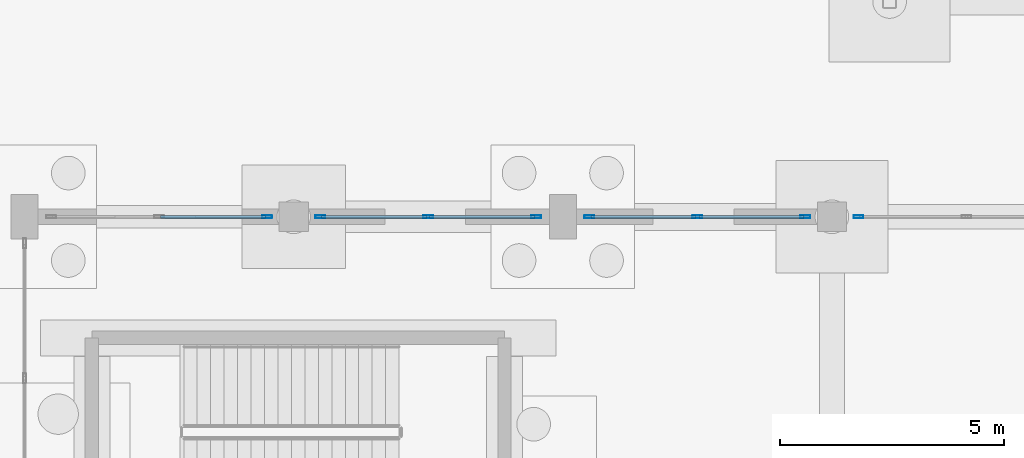
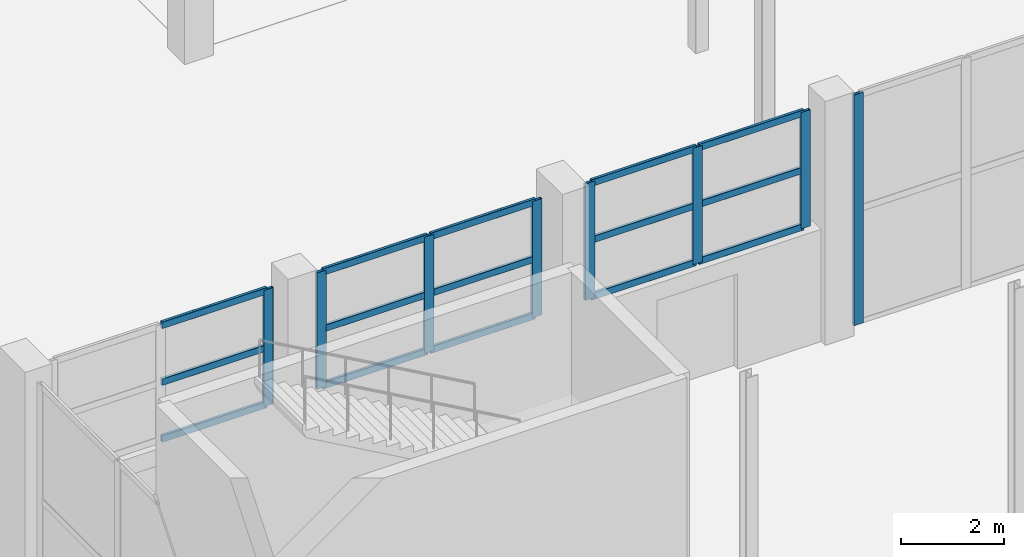
# One storey, part 59 of 103: 23 members, 4 elements without a shape of their own.
"""IFC4 building model written with IfcOpenShell, lengths in metres."""

from ifc_helpers import new_model, si_unit, direction, frame, origin, origin_2d, place, context, subcontext, project, spatial, hollow_rectangle, extrude, material, layer, layer_set, material_profile, profile_set, type_object, element, aggregate, save


model = new_model("IFC4")

# Units and contexts
model_context = context("Model", 3, precision=1e-05, world=origin(), true_north=direction((0.0, 1.0)))
body_context = subcontext(model_context, "Body", "Model", "MODEL_VIEW")
ifc_project = project(units=[si_unit("LENGTHUNIT", "METRE"), si_unit("AREAUNIT", "SQUARE_METRE"), si_unit("VOLUMEUNIT", "CUBIC_METRE"), si_unit("PLANEANGLEUNIT", "RADIAN"), si_unit("MASSUNIT", "GRAM", prefix="KILO")], contexts=[model_context])

# Site, building, storey
site_placement = place(None, origin())
site = spatial("IfcSite", under=ifc_project, at=site_placement, CompositionType="ELEMENT")
building_placement = place(site_placement, origin())
building = spatial("IfcBuilding", under=site, at=building_placement, Name="Dunvalen Ferry Terminal", CompositionType="ELEMENT")
storey_placement = place(building_placement, origin())
storey = spatial("IfcBuildingStorey", under=building, at=storey_placement, Name="L00", CompositionType="ELEMENT", Elevation=0.0)

# Curtain wall, member
ifc_material_1 = material(Name="Anodised marine aluminium and solar-control glazing", Category="aluminium")
ifc_layer = layer(ifc_material_1, 0.219970703125, Name="Anodised marine aluminium and solar-control glazing")
ifc_layer_set = layer_set([ifc_layer], Name="Anodised marine aluminium and solar-control glazing")
curtain_wall_type = type_object("IfcCurtainWallType", Name="ENV-CW-SYS-01", PredefinedType="NOTDEFINED", material=ifc_layer_set)
curtain_wall_1_placement = place(storey_placement, origin())
curtain_wall_1 = element("IfcCurtainWall", 1, at=curtain_wall_1_placement, inside=storey, type_object=curtain_wall_type, Name="L00 Curtain Wall CW-V2N-L00-01", PredefinedType="NOTDEFINED")
ifc_material_2 = material(Name="Anodised marine aluminium EN AW-6063 T6", Category="aluminium")
ifc_material_profile_1 = material_profile(ifc_material_2, hollow_rectangle(XDim=0.06494140625, YDim=0.219970703125, WallThickness=0.00390625, InnerFilletRadius=0.00390625, OuterFilletRadius=0.008056640625, at=origin_2d()), Name="Anodised marine aluminium EN AW-6063 T6")
ifc_profile_set_1 = profile_set([ifc_material_profile_1], Name="Anodised marine aluminium EN AW-6063 T6")
member_type_1 = type_object("IfcMemberType", Name="ENV-CW-MUL-1", PredefinedType="MULLION", material=ifc_profile_set_1)
member_1_placement = place(storey_placement, frame((113.407470703125, 86.39990234375, 2.699951171875), z_axis=(0.0, 0.0, 1.0), x_axis=(0.0, 1.0, 0.0)))
member_1 = element("IfcMember", 2, at=member_1_placement, type_object=member_type_1, Name="CW-01 mullion 3", PredefinedType="MULLION", context=body_context, shape_type="SweptSolid", body=[
    extrude(hollow_rectangle(XDim=0.06494140625, YDim=0.219970703125, WallThickness=0.00390625, InnerFilletRadius=0.00390625, OuterFilletRadius=0.008056640625, at=origin_2d()), origin(), (0.0, 0.0, 1.0), 2.75),
])

# Curtain wall, members
curtain_wall_2_placement = place(storey_placement, origin())
curtain_wall_2 = element("IfcCurtainWall", 3, at=curtain_wall_2_placement, inside=storey, type_object=curtain_wall_type, Name="L00 Curtain Wall CW-V2N-L00-02", PredefinedType="NOTDEFINED")
member_2_placement = place(storey_placement, frame((114.592529296875, 86.39990234375, 2.699951171875), z_axis=(0.0, 0.0, 1.0), x_axis=(0.0, 1.0, 0.0)))
member_2 = element("IfcMember", 4, at=member_2_placement, type_object=member_type_1, Name="CW-01 mullion 1", PredefinedType="MULLION", context=body_context, shape_type="SweptSolid", body=[
    extrude(hollow_rectangle(XDim=0.06494140625, YDim=0.219970703125, WallThickness=0.00390625, InnerFilletRadius=0.00390625, OuterFilletRadius=0.008056640625, at=origin_2d()), origin(), (0.0, 0.0, 1.0), 2.75),
])
member_3_placement = place(storey_placement, frame((117.0, 86.39990234375, 2.699951171875), z_axis=(0.0, 0.0, 1.0), x_axis=(0.0, 1.0, 0.0)))
member_3 = element("IfcMember", 5, at=member_3_placement, type_object=member_type_1, Name="CW-01 mullion 2", PredefinedType="MULLION", context=body_context, shape_type="SweptSolid", body=[
    extrude(hollow_rectangle(XDim=0.06494140625, YDim=0.219970703125, WallThickness=0.00390625, InnerFilletRadius=0.00390625, OuterFilletRadius=0.008056640625, at=origin_2d()), origin(), (0.0, 0.0, 1.0), 2.75),
])
member_4_placement = place(storey_placement, frame((119.407470703125, 86.39990234375, 2.699951171875), z_axis=(0.0, 0.0, 1.0), x_axis=(0.0, 1.0, 0.0)))
member_4 = element("IfcMember", 6, at=member_4_placement, type_object=member_type_1, Name="CW-01 mullion 3", PredefinedType="MULLION", context=body_context, shape_type="SweptSolid", body=[
    extrude(hollow_rectangle(XDim=0.06494140625, YDim=0.219970703125, WallThickness=0.00390625, InnerFilletRadius=0.00390625, OuterFilletRadius=0.008056640625, at=origin_2d()), origin(), (0.0, 0.0, 1.0), 2.75),
])

curtain_wall_3_placement = place(storey_placement, origin())
curtain_wall_3 = element("IfcCurtainWall", 7, at=curtain_wall_3_placement, inside=storey, type_object=curtain_wall_type, Name="L00 Curtain Wall CW-V2N-L00-03", PredefinedType="NOTDEFINED")
member_5_placement = place(storey_placement, frame((120.592529296875, 86.39990234375, 2.699951171875), z_axis=(0.0, 0.0, 1.0), x_axis=(0.0, 1.0, 0.0)))
member_5 = element("IfcMember", 8, at=member_5_placement, type_object=member_type_1, Name="CW-01 mullion 1", PredefinedType="MULLION", context=body_context, shape_type="SweptSolid", body=[
    extrude(hollow_rectangle(XDim=0.06494140625, YDim=0.219970703125, WallThickness=0.00390625, InnerFilletRadius=0.00390625, OuterFilletRadius=0.008056640625, at=origin_2d()), origin(), (0.0, 0.0, 1.0), 2.75),
])
member_6_placement = place(storey_placement, frame((123.0, 86.39990234375, 2.699951171875), z_axis=(0.0, 0.0, 1.0), x_axis=(0.0, 1.0, 0.0)))
member_6 = element("IfcMember", 9, at=member_6_placement, type_object=member_type_1, Name="CW-01 mullion 2", PredefinedType="MULLION", context=body_context, shape_type="SweptSolid", body=[
    extrude(hollow_rectangle(XDim=0.06494140625, YDim=0.219970703125, WallThickness=0.00390625, InnerFilletRadius=0.00390625, OuterFilletRadius=0.008056640625, at=origin_2d()), origin(), (0.0, 0.0, 1.0), 2.75),
])
member_7_placement = place(storey_placement, frame((125.407470703125, 86.39990234375, 2.699951171875), z_axis=(0.0, 0.0, 1.0), x_axis=(0.0, 1.0, 0.0)))
member_7 = element("IfcMember", 10, at=member_7_placement, type_object=member_type_1, Name="CW-01 mullion 3", PredefinedType="MULLION", context=body_context, shape_type="SweptSolid", body=[
    extrude(hollow_rectangle(XDim=0.06494140625, YDim=0.219970703125, WallThickness=0.00390625, InnerFilletRadius=0.00390625, OuterFilletRadius=0.008056640625, at=origin_2d()), origin(), (0.0, 0.0, 1.0), 2.75),
])

# Curtain wall, member
curtain_wall_4_placement = place(storey_placement, origin())
curtain_wall_4 = element("IfcCurtainWall", 11, at=curtain_wall_4_placement, inside=storey, type_object=curtain_wall_type, Name="L00 Curtain Wall CW-V2N-L00-04", PredefinedType="NOTDEFINED")
member_8_placement = place(storey_placement, frame((126.592529296875, 86.39990234375, 0.0), z_axis=(0.0, 0.0, 1.0), x_axis=(0.0, 1.0, 0.0)))
member_8 = element("IfcMember", 12, at=member_8_placement, type_object=member_type_1, Name="CW-01 mullion 1", PredefinedType="MULLION", context=body_context, shape_type="SweptSolid", body=[
    extrude(hollow_rectangle(XDim=0.06494140625, YDim=0.219970703125, WallThickness=0.00390625, InnerFilletRadius=0.00390625, OuterFilletRadius=0.008056640625, at=origin_2d()), origin(), (0.0, 0.0, 1.0), 5.449951171875),
])
aggregate(curtain_wall_4, [member_8])

# Member
ifc_material_profile_2 = material_profile(ifc_material_2, hollow_rectangle(XDim=0.06494140625, YDim=0.159912109375, WallThickness=0.00341796875, InnerFilletRadius=0.00341796875, OuterFilletRadius=0.007080078125, at=origin_2d()), Name="Anodised marine aluminium EN AW-6063 T6")
ifc_profile_set_2 = profile_set([ifc_material_profile_2], Name="Anodised marine aluminium EN AW-6063 T6")
member_type_2 = type_object("IfcMemberType", Name="ENV-CW-TRN-1", PredefinedType="USERDEFINED", material=ifc_profile_set_2)
member_9_placement = place(storey_placement, frame((111.032470703125, 86.39990234375, 2.732421875), z_axis=(1.0, 0.0, 0.0), x_axis=(0.0, 1.0, 0.0)))
member_9 = element("IfcMember", 13, at=member_9_placement, type_object=member_type_2, Name="CW-01 transom 2.1", ObjectType="TRANSOM", PredefinedType="USERDEFINED", context=body_context, shape_type="SweptSolid", body=[
    extrude(hollow_rectangle(XDim=0.06494140625, YDim=0.159912109375, WallThickness=0.00341796875, InnerFilletRadius=0.00341796875, OuterFilletRadius=0.007080078125, at=origin_2d()), origin(), (0.0, 0.0, 1.0), 2.342529296875),
])

member_10_placement = place(storey_placement, frame((111.032470703125, 86.39990234375, 4.074951171875), z_axis=(1.0, 0.0, 0.0), x_axis=(0.0, 1.0, 0.0)))
member_10 = element("IfcMember", 14, at=member_10_placement, type_object=member_type_2, Name="CW-01 transom 2.2", ObjectType="TRANSOM", PredefinedType="USERDEFINED", context=body_context, shape_type="SweptSolid", body=[
    extrude(hollow_rectangle(XDim=0.06494140625, YDim=0.159912109375, WallThickness=0.00341796875, InnerFilletRadius=0.00341796875, OuterFilletRadius=0.007080078125, at=origin_2d()), origin(), (0.0, 0.0, 1.0), 2.342529296875),
])

member_11_placement = place(storey_placement, frame((111.032470703125, 86.39990234375, 5.41748046875), z_axis=(1.0, 0.0, 0.0), x_axis=(0.0, 1.0, 0.0)))
member_11 = element("IfcMember", 15, at=member_11_placement, type_object=member_type_2, Name="CW-01 transom 2.3", ObjectType="TRANSOM", PredefinedType="USERDEFINED", context=body_context, shape_type="SweptSolid", body=[
    extrude(hollow_rectangle(XDim=0.06494140625, YDim=0.159912109375, WallThickness=0.00341796875, InnerFilletRadius=0.00341796875, OuterFilletRadius=0.007080078125, at=origin_2d()), origin(), (0.0, 0.0, 1.0), 2.342529296875),
])

aggregate(curtain_wall_1, [member_1, member_9, member_10, member_11])

member_12_placement = place(storey_placement, frame((114.625, 86.39990234375, 2.732421875), z_axis=(1.0, 0.0, 0.0), x_axis=(0.0, 1.0, 0.0)))
member_12 = element("IfcMember", 16, at=member_12_placement, type_object=member_type_2, Name="CW-01 transom 1.1", ObjectType="TRANSOM", PredefinedType="USERDEFINED", context=body_context, shape_type="SweptSolid", body=[
    extrude(hollow_rectangle(XDim=0.06494140625, YDim=0.159912109375, WallThickness=0.00341796875, InnerFilletRadius=0.00341796875, OuterFilletRadius=0.007080078125, at=origin_2d()), origin(), (0.0, 0.0, 1.0), 2.342529296875),
])

member_13_placement = place(storey_placement, frame((114.625, 86.39990234375, 4.074951171875), z_axis=(1.0, 0.0, 0.0), x_axis=(0.0, 1.0, 0.0)))
member_13 = element("IfcMember", 17, at=member_13_placement, type_object=member_type_2, Name="CW-01 transom 1.2", ObjectType="TRANSOM", PredefinedType="USERDEFINED", context=body_context, shape_type="SweptSolid", body=[
    extrude(hollow_rectangle(XDim=0.06494140625, YDim=0.159912109375, WallThickness=0.00341796875, InnerFilletRadius=0.00341796875, OuterFilletRadius=0.007080078125, at=origin_2d()), origin(), (0.0, 0.0, 1.0), 2.342529296875),
])

member_14_placement = place(storey_placement, frame((114.625, 86.39990234375, 5.41748046875), z_axis=(1.0, 0.0, 0.0), x_axis=(0.0, 1.0, 0.0)))
member_14 = element("IfcMember", 18, at=member_14_placement, type_object=member_type_2, Name="CW-01 transom 1.3", ObjectType="TRANSOM", PredefinedType="USERDEFINED", context=body_context, shape_type="SweptSolid", body=[
    extrude(hollow_rectangle(XDim=0.06494140625, YDim=0.159912109375, WallThickness=0.00341796875, InnerFilletRadius=0.00341796875, OuterFilletRadius=0.007080078125, at=origin_2d()), origin(), (0.0, 0.0, 1.0), 2.342529296875),
])

member_15_placement = place(storey_placement, frame((117.032470703125, 86.39990234375, 2.732421875), z_axis=(1.0, 0.0, 0.0), x_axis=(0.0, 1.0, 0.0)))
member_15 = element("IfcMember", 19, at=member_15_placement, type_object=member_type_2, Name="CW-01 transom 2.1", ObjectType="TRANSOM", PredefinedType="USERDEFINED", context=body_context, shape_type="SweptSolid", body=[
    extrude(hollow_rectangle(XDim=0.06494140625, YDim=0.159912109375, WallThickness=0.00341796875, InnerFilletRadius=0.00341796875, OuterFilletRadius=0.007080078125, at=origin_2d()), origin(), (0.0, 0.0, 1.0), 2.342529296875),
])

member_16_placement = place(storey_placement, frame((117.032470703125, 86.39990234375, 4.074951171875), z_axis=(1.0, 0.0, 0.0), x_axis=(0.0, 1.0, 0.0)))
member_16 = element("IfcMember", 20, at=member_16_placement, type_object=member_type_2, Name="CW-01 transom 2.2", ObjectType="TRANSOM", PredefinedType="USERDEFINED", context=body_context, shape_type="SweptSolid", body=[
    extrude(hollow_rectangle(XDim=0.06494140625, YDim=0.159912109375, WallThickness=0.00341796875, InnerFilletRadius=0.00341796875, OuterFilletRadius=0.007080078125, at=origin_2d()), origin(), (0.0, 0.0, 1.0), 2.342529296875),
])

member_17_placement = place(storey_placement, frame((117.032470703125, 86.39990234375, 5.41748046875), z_axis=(1.0, 0.0, 0.0), x_axis=(0.0, 1.0, 0.0)))
member_17 = element("IfcMember", 21, at=member_17_placement, type_object=member_type_2, Name="CW-01 transom 2.3", ObjectType="TRANSOM", PredefinedType="USERDEFINED", context=body_context, shape_type="SweptSolid", body=[
    extrude(hollow_rectangle(XDim=0.06494140625, YDim=0.159912109375, WallThickness=0.00341796875, InnerFilletRadius=0.00341796875, OuterFilletRadius=0.007080078125, at=origin_2d()), origin(), (0.0, 0.0, 1.0), 2.342529296875),
])

aggregate(curtain_wall_2, [member_2, member_3, member_4, member_12, member_13, member_14, member_15, member_16, member_17])

member_18_placement = place(storey_placement, frame((120.625, 86.39990234375, 2.732421875), z_axis=(1.0, 0.0, 0.0), x_axis=(0.0, 1.0, 0.0)))
member_18 = element("IfcMember", 22, at=member_18_placement, type_object=member_type_2, Name="CW-01 transom 1.1", ObjectType="TRANSOM", PredefinedType="USERDEFINED", context=body_context, shape_type="SweptSolid", body=[
    extrude(hollow_rectangle(XDim=0.06494140625, YDim=0.159912109375, WallThickness=0.00341796875, InnerFilletRadius=0.00341796875, OuterFilletRadius=0.007080078125, at=origin_2d()), origin(), (0.0, 0.0, 1.0), 2.342529296875),
])

member_19_placement = place(storey_placement, frame((120.625, 86.39990234375, 4.074951171875), z_axis=(1.0, 0.0, 0.0), x_axis=(0.0, 1.0, 0.0)))
member_19 = element("IfcMember", 23, at=member_19_placement, type_object=member_type_2, Name="CW-01 transom 1.2", ObjectType="TRANSOM", PredefinedType="USERDEFINED", context=body_context, shape_type="SweptSolid", body=[
    extrude(hollow_rectangle(XDim=0.06494140625, YDim=0.159912109375, WallThickness=0.00341796875, InnerFilletRadius=0.00341796875, OuterFilletRadius=0.007080078125, at=origin_2d()), origin(), (0.0, 0.0, 1.0), 2.342529296875),
])

member_20_placement = place(storey_placement, frame((120.625, 86.39990234375, 5.41748046875), z_axis=(1.0, 0.0, 0.0), x_axis=(0.0, 1.0, 0.0)))
member_20 = element("IfcMember", 24, at=member_20_placement, type_object=member_type_2, Name="CW-01 transom 1.3", ObjectType="TRANSOM", PredefinedType="USERDEFINED", context=body_context, shape_type="SweptSolid", body=[
    extrude(hollow_rectangle(XDim=0.06494140625, YDim=0.159912109375, WallThickness=0.00341796875, InnerFilletRadius=0.00341796875, OuterFilletRadius=0.007080078125, at=origin_2d()), origin(), (0.0, 0.0, 1.0), 2.342529296875),
])

member_21_placement = place(storey_placement, frame((123.032470703125, 86.39990234375, 2.732421875), z_axis=(1.0, 0.0, 0.0), x_axis=(0.0, 1.0, 0.0)))
member_21 = element("IfcMember", 25, at=member_21_placement, type_object=member_type_2, Name="CW-01 transom 2.1", ObjectType="TRANSOM", PredefinedType="USERDEFINED", context=body_context, shape_type="SweptSolid", body=[
    extrude(hollow_rectangle(XDim=0.06494140625, YDim=0.159912109375, WallThickness=0.00341796875, InnerFilletRadius=0.00341796875, OuterFilletRadius=0.007080078125, at=origin_2d()), origin(), (0.0, 0.0, 1.0), 2.342529296875),
])

member_22_placement = place(storey_placement, frame((123.032470703125, 86.39990234375, 4.074951171875), z_axis=(1.0, 0.0, 0.0), x_axis=(0.0, 1.0, 0.0)))
member_22 = element("IfcMember", 26, at=member_22_placement, type_object=member_type_2, Name="CW-01 transom 2.2", ObjectType="TRANSOM", PredefinedType="USERDEFINED", context=body_context, shape_type="SweptSolid", body=[
    extrude(hollow_rectangle(XDim=0.06494140625, YDim=0.159912109375, WallThickness=0.00341796875, InnerFilletRadius=0.00341796875, OuterFilletRadius=0.007080078125, at=origin_2d()), origin(), (0.0, 0.0, 1.0), 2.342529296875),
])

member_23_placement = place(storey_placement, frame((123.032470703125, 86.39990234375, 5.41748046875), z_axis=(1.0, 0.0, 0.0), x_axis=(0.0, 1.0, 0.0)))
member_23 = element("IfcMember", 27, at=member_23_placement, type_object=member_type_2, Name="CW-01 transom 2.3", ObjectType="TRANSOM", PredefinedType="USERDEFINED", context=body_context, shape_type="SweptSolid", body=[
    extrude(hollow_rectangle(XDim=0.06494140625, YDim=0.159912109375, WallThickness=0.00341796875, InnerFilletRadius=0.00341796875, OuterFilletRadius=0.007080078125, at=origin_2d()), origin(), (0.0, 0.0, 1.0), 2.342529296875),
])

aggregate(curtain_wall_3, [member_5, member_6, member_7, member_18, member_19, member_20, member_21, member_22, member_23])

save(model, "model.ifc")
